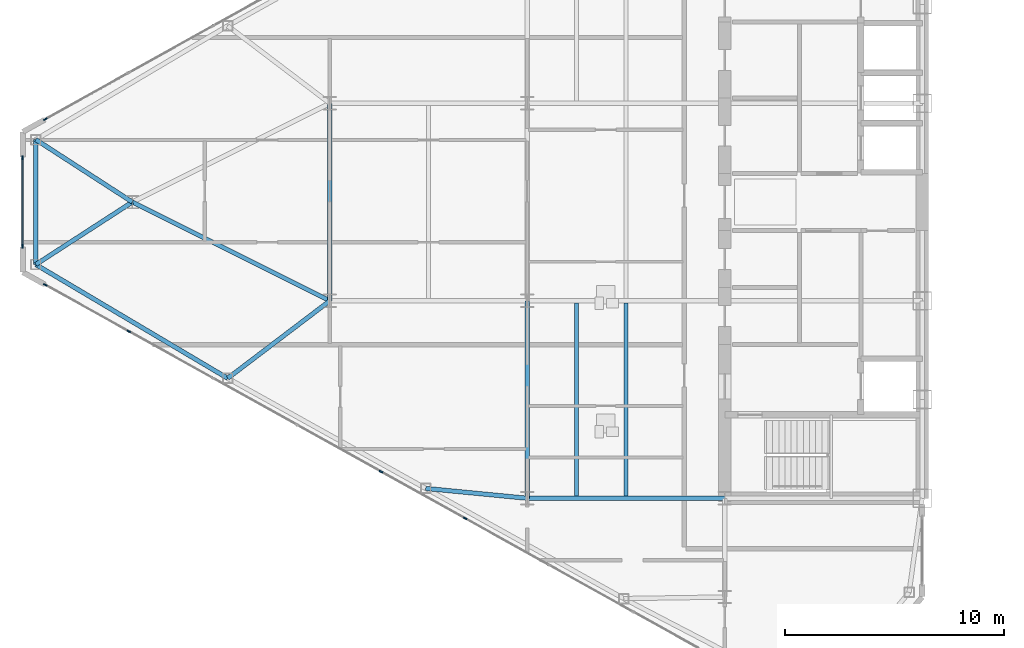
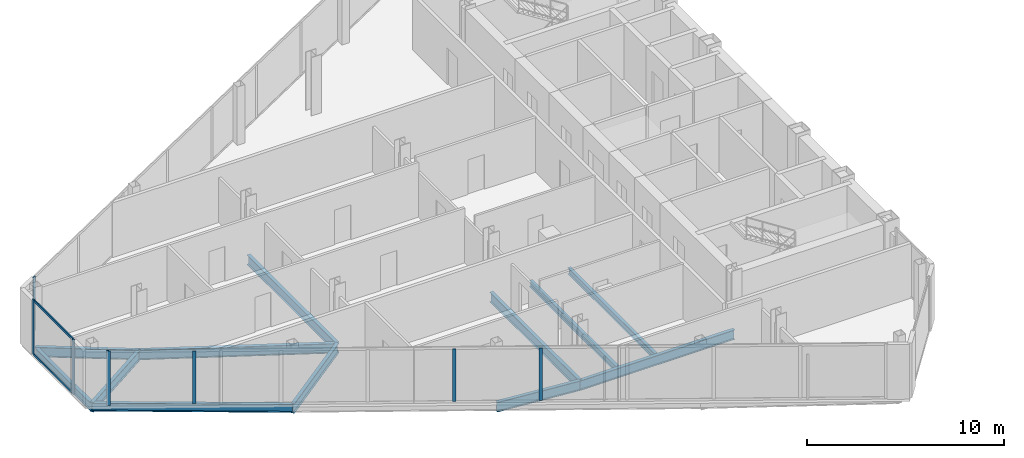
# One storey, part 5 of 26: 12 beams, 9 members, 3 elements without a shape of their own.
"""IFC4 building model written with IfcOpenShell, lengths in metres."""

from ifc_helpers import new_model, si_unit, direction, frame, origin, origin_2d, place, context, subcontext, project, spatial, rectangle, i_section, extrude, source, transform, mapped, material, layer, layer_set, material_profile, profile_set, type_object, type_shapes, element, aggregate, save


model = new_model("IFC4")

# Units and contexts
model_context = context("Model", 3, precision=1e-05, world=origin(), true_north=direction((0.0, 1.0)))
body_context = subcontext(model_context, "Body", "Model", "MODEL_VIEW")
ifc_project = project(units=[si_unit("LENGTHUNIT", "METRE"), si_unit("AREAUNIT", "SQUARE_METRE"), si_unit("VOLUMEUNIT", "CUBIC_METRE"), si_unit("PLANEANGLEUNIT", "RADIAN"), si_unit("MASSUNIT", "GRAM", prefix="KILO")], contexts=[model_context])

# Site, building, storey
site_placement = place(None, origin())
site = spatial("IfcSite", under=ifc_project, at=site_placement, CompositionType="ELEMENT")
building_placement = place(site_placement, origin())
building = spatial("IfcBuilding", under=site, at=building_placement, Name="Seokmaru Belvedere", CompositionType="ELEMENT")
storey_placement = place(building_placement, frame((0.0, 0.0, 181.5)))
storey = spatial("IfcBuildingStorey", under=building, at=storey_placement, Name="L48", CompositionType="ELEMENT", Elevation=181.5)

# Beams
ifc_material_1 = material(Name="Steel SM355 (355 MPa)", Category="steel")
ifc_material_profile_1 = material_profile(ifc_material_1, i_section(OverallWidth=0.199951171875, OverallDepth=0.60009765625, WebThickness=0.010986328125, FlangeThickness=0.01708984375, at=origin_2d()), Name="H-600x200x11x17")
ifc_profile_set_1 = profile_set([ifc_material_profile_1], Name="Steel SM355 (355 MPa)")
beam_type_1 = type_object("IfcBeamType", Name="Primary Floor Girder H-600", PredefinedType="BEAM", material=ifc_profile_set_1)
shared_shape_1 = source(origin(), body_context, "Body", "SweptSolid", [
    extrude(i_section(OverallWidth=0.199951171875, OverallDepth=0.60009765625, WebThickness=0.010986328125, FlangeThickness=0.01708984375, at=origin_2d()), origin(), (0.0, 0.0, 1.0), 9.0),
])
for number, where, z_axis, x_axis, name in (
    (1, (-45.5, -13.5, -0.52001953125), (0.0, 1.0, 0.0), (-1.0, 0.0, 0.0), "L48 W Interior Grid Girder 1"),
    (2, (-45.5, -13.5, -0.52001953125), (1.0, 0.0, 0.0), (0.0, 1.0, 0.0), "L48 W Wing Primary Girder 1"),
    (3, (-54.5, -4.5, -0.52001953125), (0.0, 1.0, 0.0), (-1.0, 0.0, 0.0), "L48 W Apex Frame Girder"),
):
    element("IfcBeam", number, at=place(storey_placement, frame(where, z_axis=z_axis, x_axis=x_axis)), inside=storey, type_object=beam_type_1, Name=name, PredefinedType="BEAM", context=body_context, shape_type="MappedRepresentation", body=[
        mapped(shared_shape_1, transform((0.0, 0.0, 0.0), scale=1.0)),
    ])
shared_shape_2 = source(origin(), body_context, "Body", "SweptSolid", [
    extrude(i_section(OverallWidth=0.199951171875, OverallDepth=0.60009765625, WebThickness=0.010986328125, FlangeThickness=0.01708984375, at=origin_2d()), origin(), (0.0, 0.0, 1.0), 10.062255859375),
])
beam_1_placement = place(storey_placement, frame((-54.5, -4.5, -0.52001953125), z_axis=(-0.894427191, 0.4472135955, 0.0), x_axis=(-0.4472135955, -0.894427191, 0.0)))
element("IfcBeam", 4, at=beam_1_placement, inside=storey, type_object=beam_type_1, Name="L48 W Apex Converging Girder 1", PredefinedType="BEAM", context=body_context, shape_type="MappedRepresentation", body=[
    mapped(shared_shape_2, transform((0.0, 0.0, 0.0), scale=1.0)),
])
ifc_material_profile_2 = material_profile(ifc_material_1, i_section(OverallWidth=0.18505859375, OverallDepth=0.389892578125, WebThickness=0.008056640625, FlangeThickness=0.011962890625, at=origin_2d()), Name="H-390x185x8x12")
ifc_profile_set_2 = profile_set([ifc_material_profile_2], Name="Steel SM355 (355 MPa)")
beam_type_2 = type_object("IfcBeamType", Name="Secondary Floor Joist H-350", PredefinedType="JOIST", material=ifc_profile_set_2)
shared_shape_3 = source(origin(), body_context, "Body", "SweptSolid", [
    extrude(i_section(OverallWidth=0.18505859375, OverallDepth=0.389892578125, WebThickness=0.008056640625, FlangeThickness=0.011962890625, at=origin_2d()), origin(), (0.0, 0.0, 1.0), 8.7900390625),
])
type_shapes(beam_type_2, [shared_shape_3])
for number, where, z_axis, x_axis, name in (
    (5, (-43.25, -13.39501953125, -0.4150390625), (0.0, 1.0, 0.0), (-1.0, 0.0, 0.0), "L48 W Wing Inner Secondary Joist 1"),
    (6, (-41.0, -13.39501953125, -0.4150390625), (0.0, 1.0, 0.0), (-1.0, 0.0, 0.0), "L48 W Secondary Floor Joist 1"),
):
    element("IfcBeam", number, at=place(storey_placement, frame(where, z_axis=z_axis, x_axis=x_axis)), inside=storey, type_object=beam_type_2, Name=name, PredefinedType="JOIST", context=body_context, shape_type="MappedRepresentation", body=[
        mapped(shared_shape_3, transform((0.0, 0.0, 0.0), scale=1.0)),
    ])
ifc_material_profile_3 = material_profile(ifc_material_1, i_section(OverallWidth=0.199951171875, OverallDepth=0.5, WebThickness=0.010009765625, FlangeThickness=0.01611328125, at=origin_2d()), Name="H-500x200x10x16")
ifc_profile_set_3 = profile_set([ifc_material_profile_3], Name="Steel SM355 (355 MPa)")
beam_type_3 = type_object("IfcBeamType", Name="Perimeter Spandrel Beam H-500", PredefinedType="SPANDREL", material=ifc_profile_set_3)
shared_shape_4 = source(origin(), body_context, "Body", "SweptSolid", [
    extrude(i_section(OverallWidth=0.199951171875, OverallDepth=0.5, WebThickness=0.010009765625, FlangeThickness=0.01611328125, at=origin_2d()), origin(), (0.0, 0.0, 1.0), 10.16650390625),
])
beam_2_placement = place(storey_placement, frame((-59.154541015625, -8.031494140625, -0.469970703125), z_axis=(-0.860209996506, 0.509939959124, 0.0), x_axis=(-0.509939959124, -0.860209996506, 0.0)))
element("IfcBeam", 7, at=beam_2_placement, inside=storey, type_object=beam_type_3, Name="L48 W Faceted Flank Spandrel S-4", PredefinedType="SPANDREL", context=body_context, shape_type="MappedRepresentation", body=[
    mapped(shared_shape_4, transform((0.0, 0.0, 0.0), scale=1.0)),
])
shared_shape_5 = source(origin(), body_context, "Body", "SweptSolid", [
    extrude(i_section(OverallWidth=0.199951171875, OverallDepth=0.5, WebThickness=0.010009765625, FlangeThickness=0.01611328125, at=origin_2d()), origin(), (0.0, 0.0, 1.0), 5.6943359375),
])
type_shapes(beam_type_3, [shared_shape_4, shared_shape_5])
beam_3_placement = place(storey_placement, frame((-67.89990234375, -2.84716796875, -0.469970703125), z_axis=(0.0, 1.0, 0.0), x_axis=(-1.0, 0.0, 0.0)))
element("IfcBeam", 8, at=beam_3_placement, inside=storey, type_object=beam_type_3, Name="L48 W Faceted Apex Spandrel", PredefinedType="SPANDREL", context=body_context, shape_type="MappedRepresentation", body=[
    mapped(shared_shape_5, transform((0.0, 0.0, 0.0), scale=1.0)),
])
shared_shape_6 = source(origin(), body_context, "Body", "SweptSolid", [
    extrude(i_section(OverallWidth=0.199951171875, OverallDepth=0.60009765625, WebThickness=0.010986328125, FlangeThickness=0.01708984375, at=origin_2d()), origin(), (0.0, 0.0, 1.0), 4.65087890625),
])
beam_4_placement = place(storey_placement, frame((-50.129150390625, -13.051025390625, -0.52001953125), z_axis=(0.995329534874, -0.09653557379, 0.0), x_axis=(0.09653557379, 0.995329534874, 0.0)))
element("IfcBeam", 9, at=beam_4_placement, inside=storey, type_object=beam_type_1, Name="L48 W Flank Radial Floor Girder S-2", PredefinedType="BEAM", context=body_context, shape_type="MappedRepresentation", body=[
    mapped(shared_shape_6, transform((0.0, 0.0, 0.0), scale=1.0)),
])
shared_shape_7 = source(origin(), body_context, "Body", "SweptSolid", [
    extrude(i_section(OverallWidth=0.199951171875, OverallDepth=0.60009765625, WebThickness=0.010986328125, FlangeThickness=0.01708984375, at=origin_2d()), origin(), (0.0, 0.0, 1.0), 5.842529296875),
])
beam_5_placement = place(storey_placement, frame((-59.154541015625, -8.031494140625, -0.52001953125), z_axis=(0.796653109879, 0.604436781243, 0.0), x_axis=(-0.604436781243, 0.796653109879, 0.0)))
element("IfcBeam", 10, at=beam_5_placement, inside=storey, type_object=beam_type_1, Name="L48 W Flank Radial Floor Girder S-3", PredefinedType="BEAM", context=body_context, shape_type="MappedRepresentation", body=[
    mapped(shared_shape_7, transform((0.0, 0.0, 0.0), scale=1.0)),
])
shared_shape_8 = source(origin(), body_context, "Body", "SweptSolid", [
    extrude(i_section(OverallWidth=0.199951171875, OverallDepth=0.60009765625, WebThickness=0.010986328125, FlangeThickness=0.01708984375, at=origin_2d()), origin(), (0.0, 0.0, 1.0), 5.24072265625),
])
type_shapes(beam_type_1, [shared_shape_1, shared_shape_2, shared_shape_6, shared_shape_7, shared_shape_8])
for number, where, z_axis, x_axis, name in (
    (11, (-67.89990234375, -2.84716796875, -0.52001953125), (0.839555158729, 0.543274456836, 0.0), (-0.543274456836, 0.839555158729, 0.0), "L48 W Apex Radial Floor Girder 1"),
    (12, (-67.89990234375, 2.84716796875, -0.52001953125), (0.839555158729, -0.543274456836, 0.0), (0.543274456836, 0.839555158729, 0.0), "L48 W Apex Radial Floor Girder 2"),
):
    element("IfcBeam", number, at=place(storey_placement, frame(where, z_axis=z_axis, x_axis=x_axis)), inside=storey, type_object=beam_type_1, Name=name, PredefinedType="BEAM", context=body_context, shape_type="MappedRepresentation", body=[
        mapped(shared_shape_8, transform((0.0, 0.0, 0.0), scale=1.0)),
    ])

# Curtain wall, members
ifc_material_2 = material(Name="Bronze Triple Insulating Glass", Category="glass")
ifc_layer = layer(ifc_material_2, 0.179931640625)
ifc_layer_set = layer_set([ifc_layer], Name="Bronze Triple Insulating Glass")
curtain_wall_type = type_object("IfcCurtainWallType", Name="High-Rise Wind-Corner Curtain Wall System CW-5", PredefinedType="NOTDEFINED", material=ifc_layer_set)
curtain_wall_1_placement = place(storey_placement, origin())
curtain_wall_1 = element("IfcCurtainWall", 13, at=curtain_wall_1_placement, inside=storey, type_object=curtain_wall_type, Name="L48 Curtain Wall WF4", PredefinedType="NOTDEFINED")
ifc_material_3 = material(Name="Anodised Bronze Aluminium", Category="aluminium")
ifc_material_profile_4 = material_profile(ifc_material_3, rectangle(XDim=0.06494140625, YDim=0.14990234375, at=origin_2d()), Name="CW-T-65x150")
ifc_profile_set_4 = profile_set([ifc_material_profile_4], Name="Anodised Bronze Aluminium")
member_type_1 = type_object("IfcMemberType", Name="Bronze Unitised Transom 65x150", PredefinedType="USERDEFINED", material=ifc_profile_set_4)
shared_shape_9 = source(origin(), body_context, "Body", "SweptSolid", [
    extrude(rectangle(XDim=0.06494140625, YDim=0.14990234375, at=origin_2d()), origin(), (0.0, 0.0, 1.0), 3.97021484375),
])
type_shapes(member_type_1, [shared_shape_9])
member_1_placement = place(storey_placement, frame((-68.5, 1.985107421875, 0.032470703125), z_axis=(0.0, -1.0, 0.0), x_axis=(1.0, 0.0, 0.0)))
member_1 = element("IfcMember", 14, at=member_1_placement, type_object=member_type_1, Name="CW:L48:WF4 Continuous Transom 1", ObjectType="TRANSOM", PredefinedType="USERDEFINED", context=body_context, shape_type="MappedRepresentation", body=[
    mapped(shared_shape_9, transform((0.0, 0.0, 0.0), scale=1.0)),
])
member_2_placement = place(storey_placement, frame((-68.5, 1.985107421875, 3.347412109375), z_axis=(0.0, -1.0, 0.0), x_axis=(1.0, 0.0, 0.0)))
member_2 = element("IfcMember", 15, at=member_2_placement, type_object=member_type_1, Name="CW:L48:WF4 Continuous Transom 2", ObjectType="TRANSOM", PredefinedType="USERDEFINED", context=body_context, shape_type="MappedRepresentation", body=[
    mapped(shared_shape_9, transform((0.0, 0.0, 0.0), scale=1.0)),
])

# Curtain wall, member
curtain_wall_2_placement = place(storey_placement, origin())
curtain_wall_2 = element("IfcCurtainWall", 16, at=curtain_wall_2_placement, inside=storey, type_object=curtain_wall_type, Name="L48 Curtain Wall WF3", PredefinedType="NOTDEFINED")
ifc_material_profile_5 = material_profile(ifc_material_3, rectangle(XDim=0.06494140625, YDim=0.179931640625, at=origin_2d()), Name="CW-M-65x180")
ifc_profile_set_5 = profile_set([ifc_material_profile_5], Name="Anodised Bronze Aluminium")
member_type_2 = type_object("IfcMemberType", Name="Bronze Unitised Mullion 65x180", PredefinedType="MULLION", material=ifc_profile_set_5)
shared_shape_10 = source(origin(), body_context, "Body", "SweptSolid", [
    extrude(rectangle(XDim=0.06494140625, YDim=0.179931640625, at=origin_2d()), origin(), (0.0, 0.0, 1.0), 3.3798828125),
])
member_3_placement = place(storey_placement, frame((-67.466552734375, 3.77490234375, 0.0), z_axis=(0.0, 0.0, 1.0), x_axis=(0.486047125147, -0.873932601598, 0.0)))
member_3 = element("IfcMember", 17, at=member_3_placement, type_object=member_type_2, Name="CW:L48:WF3 Mullion 10", PredefinedType="MULLION", context=body_context, shape_type="MappedRepresentation", body=[
    mapped(shared_shape_10, transform((0.0, 0.0, 0.0), scale=1.0)),
])
aggregate(curtain_wall_2, [member_3])

# Member
member_4_placement = place(storey_placement, frame((-68.5, 2.017578125, 0.0), z_axis=(0.0, 0.0, 1.0), x_axis=(1.0, 0.0, 0.0)))
member_4 = element("IfcMember", 18, at=member_4_placement, type_object=member_type_2, Name="CW:L48:WF4 Mullion 1", PredefinedType="MULLION", context=body_context, shape_type="MappedRepresentation", body=[
    mapped(shared_shape_10, transform((0.0, 0.0, 0.0), scale=1.0)),
])

member_5_placement = place(storey_placement, frame((-68.5, -2.017578125, 0.0), z_axis=(0.0, 0.0, 1.0), x_axis=(1.0, 0.0, 0.0)))
member_5 = element("IfcMember", 19, at=member_5_placement, type_object=member_type_2, Name="CW:L48:WF4 Mullion 2", PredefinedType="MULLION", context=body_context, shape_type="MappedRepresentation", body=[
    mapped(shared_shape_10, transform((0.0, 0.0, 0.0), scale=1.0)),
])

aggregate(curtain_wall_1, [member_4, member_5, member_1, member_2])

# Curtain wall, members
curtain_wall_3_placement = place(storey_placement, origin())
curtain_wall_3 = element("IfcCurtainWall", 20, at=curtain_wall_3_placement, inside=storey, type_object=curtain_wall_type, Name="L48 Curtain Wall WF5", PredefinedType="NOTDEFINED")
member_6_placement = place(storey_placement, frame((-67.466552734375, -3.77490234375, 0.0), z_axis=(0.0, 0.0, 1.0), x_axis=(0.486047125147, 0.873932601598, 0.0)))
member_6 = element("IfcMember", 21, at=member_6_placement, type_object=member_type_2, Name="CW:L48:WF5 Mullion 1", PredefinedType="MULLION", context=body_context, shape_type="MappedRepresentation", body=[
    mapped(shared_shape_10, transform((0.0, 0.0, 0.0), scale=1.0)),
])
shared_shape_11 = source(origin(), body_context, "Body", "SweptSolid", [
    extrude(rectangle(XDim=0.06494140625, YDim=0.179931640625, at=origin_2d()), origin(), (0.0, 0.0, 1.0), 3.25),
])
type_shapes(member_type_2, [shared_shape_10, shared_shape_11])
member_7_placement = place(storey_placement, frame((-63.662841796875, -5.890380859375, 0.06494140625), z_axis=(0.0, 0.0, 1.0), x_axis=(0.486047125147, 0.873932601598, 0.0)))
member_7 = element("IfcMember", 22, at=member_7_placement, type_object=member_type_2, Name="CW:L48:WF5 Mullion 2", PredefinedType="MULLION", context=body_context, shape_type="MappedRepresentation", body=[
    mapped(shared_shape_11, transform((0.0, 0.0, 0.0), scale=1.0)),
])
member_8_placement = place(storey_placement, frame((-52.166015625, -12.2841796875, 0.06494140625), z_axis=(0.0, 0.0, 1.0), x_axis=(0.486047125147, 0.873932601598, 0.0)))
member_8 = element("IfcMember", 23, at=member_8_placement, type_object=member_type_2, Name="CW:L48:WF5 Mullion 5", PredefinedType="MULLION", context=body_context, shape_type="MappedRepresentation", body=[
    mapped(shared_shape_11, transform((0.0, 0.0, 0.0), scale=1.0)),
])
member_9_placement = place(storey_placement, frame((-48.333984375, -14.415771484375, 0.06494140625), z_axis=(0.0, 0.0, 1.0), x_axis=(0.486047125147, 0.873932601598, 0.0)))
member_9 = element("IfcMember", 24, at=member_9_placement, type_object=member_type_2, Name="CW:L48:WF5 Mullion 6", PredefinedType="MULLION", context=body_context, shape_type="MappedRepresentation", body=[
    mapped(shared_shape_11, transform((0.0, 0.0, 0.0), scale=1.0)),
])
aggregate(curtain_wall_3, [member_6, member_7, member_8, member_9])

save(model, "model.ifc")
